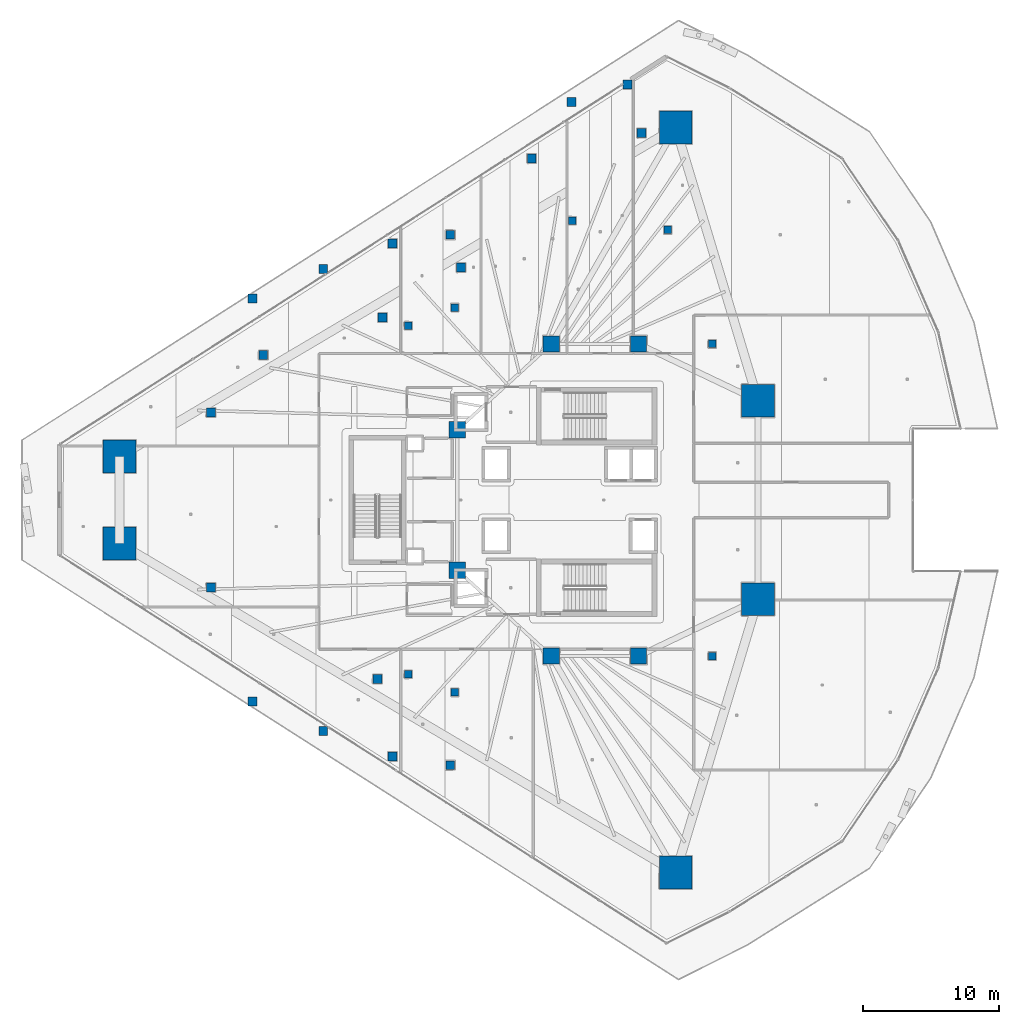
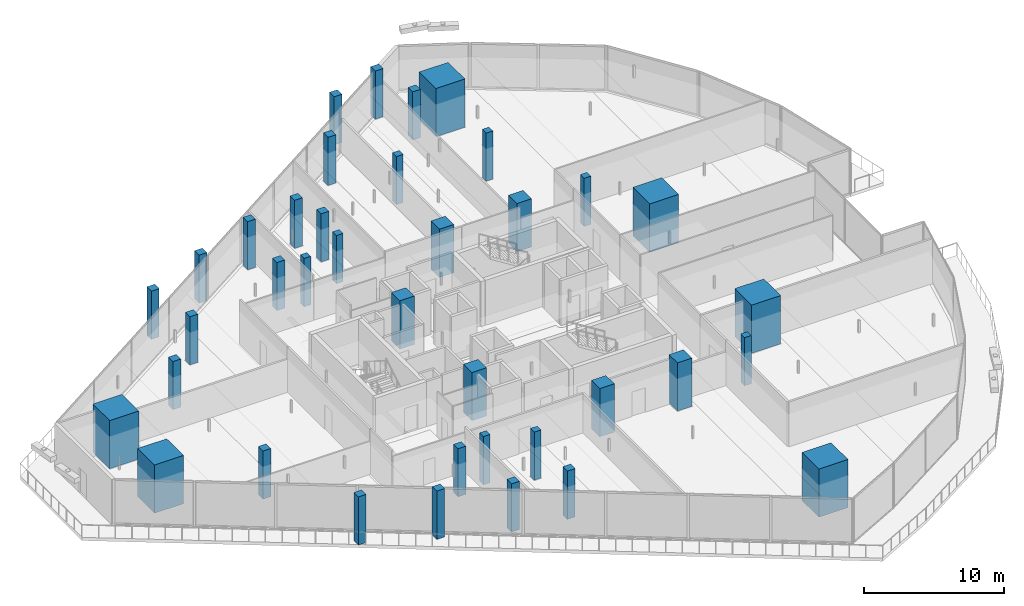
# One storey, part 1 of 45: 38 columns.
"""IFC4 building model written with IfcOpenShell, lengths in metres."""

from ifc_helpers import new_model, si_unit, direction, frame, origin, origin_2d, place, context, subcontext, project, spatial, rectangle, extrude, material, material_profile, profile_set, type_object, element, save


model = new_model("IFC4")

# Units and contexts
model_context = context("Model", 3, precision=1e-05, world=origin(), true_north=direction((0.0, 1.0)))
body_context = subcontext(model_context, "Body", "Model", "MODEL_VIEW")
ifc_project = project(units=[si_unit("LENGTHUNIT", "METRE"), si_unit("AREAUNIT", "SQUARE_METRE"), si_unit("VOLUMEUNIT", "CUBIC_METRE"), si_unit("PLANEANGLEUNIT", "RADIAN"), si_unit("MASSUNIT", "GRAM", prefix="KILO")], contexts=[model_context])

# Site, building, storey
site_placement = place(None, origin())
site = spatial("IfcSite", under=ifc_project, at=site_placement, CompositionType="ELEMENT")
building_placement = place(site_placement, origin())
building = spatial("IfcBuilding", under=site, at=building_placement, Name="Qorvath Tower", CompositionType="ELEMENT")
storey_placement = place(building_placement, frame((0.0, 0.0, 66.0)))
storey = spatial("IfcBuildingStorey", under=building, at=storey_placement, Name="L14", CompositionType="ELEMENT", Elevation=66.0)

# Columns
ifc_material_1 = material(Name="Concrete C70/85", Category="concrete")
ifc_material_profile_1 = material_profile(ifc_material_1, rectangle(XDim=2.39990234375, YDim=2.39990234375, at=origin_2d()), Name="MC 2400x2400")
ifc_profile_set_1 = profile_set([ifc_material_profile_1], Name="Concrete C70/85")
column_type_1 = type_object("IfcColumnType", Name="COL-MC1", PredefinedType="COLUMN", material=ifc_profile_set_1)
for number, where, z_axis, x_axis, name in (
    (1, (-55.282958984375, 3.194580078125, 0.0), (0.0, 0.0, 1.0), (1.0, 0.0, 0.0), "Composite Mega-Column MC1 L14"),
    (2, (-55.282958984375, -3.194580078125, 0.0), (0.0, 0.0, 1.0), (1.0, 0.0, 0.0), "Composite Mega-Column MC2 L14"),
    (3, (-14.46435546875, -27.330810546875, 0.0), (0.0, 0.0, 1.0), (1.0, 0.0, 0.0), "Composite Mega-Column MC3 L14"),
    (4, (-8.430419921875, -7.2763671875, 0.0), (0.0, 0.0, 1.0), (1.0, 0.0, 0.0), "Composite Mega-Column MC4 L14"),
    (5, (-8.430419921875, 7.2763671875, 0.0), (0.0, 0.0, 1.0), (1.0, 0.0, 0.0), "Composite Mega-Column MC5 L14"),
    (6, (-14.46435546875, 27.330810546875, 0.0), (0.0, 0.0, 1.0), (1.0, 0.0, 0.0), "Composite Mega-Column MC6 L14"),
):
    element("IfcColumn", number, at=place(storey_placement, frame(where, z_axis=z_axis, x_axis=x_axis)), inside=storey, type_object=column_type_1, Name=name, PredefinedType="COLUMN", context=body_context, shape_type="SweptSolid", body=[
        extrude(rectangle(XDim=2.39990234375, YDim=2.39990234375, at=origin_2d()), origin(), (0.0, 0.0, 1.0), 4.199951171875),
    ])
ifc_material_2 = material(Name="Concrete C60/75", Category="concrete")
ifc_material_profile_2 = material_profile(ifc_material_2, rectangle(XDim=1.199951171875, YDim=1.199951171875, at=origin_2d()), Name="RC 1200x1200")
ifc_profile_set_2 = profile_set([ifc_material_profile_2], Name="Concrete C60/75")
column_type_2 = type_object("IfcColumnType", Name="COL-RC1", PredefinedType="COLUMN", material=ifc_profile_set_2)
for number, where, z_axis, x_axis, name in (
    (7, (-23.60009765625, 11.449951171875, 0.0), (0.0, 0.0, 1.0), (1.0, 0.0, 0.0), "Core Spine Column CC1 L14"),
    (8, (-17.199951171875, 11.449951171875, 0.0), (0.0, 0.0, 1.0), (1.0, 0.0, 0.0), "Core Spine Column CC2 L14"),
    (9, (-17.199951171875, -11.449951171875, 0.0), (0.0, 0.0, 1.0), (1.0, 0.0, 0.0), "Core Spine Column CC3 L14"),
    (10, (-23.60009765625, -11.449951171875, 0.0), (0.0, 0.0, 1.0), (1.0, 0.0, 0.0), "Core Spine Column CC4 L14"),
    (11, (-30.5, 5.14990234375, 0.0), (0.0, 0.0, 1.0), (1.0, 0.0, 0.0), "Core Spine Column CC5 L14"),
    (12, (-30.5, -5.14990234375, 0.0), (0.0, 0.0, 1.0), (1.0, 0.0, 0.0), "Core Spine Column CC6 L14"),
):
    element("IfcColumn", number, at=place(storey_placement, frame(where, z_axis=z_axis, x_axis=x_axis)), inside=storey, type_object=column_type_2, Name=name, PredefinedType="COLUMN", context=body_context, shape_type="SweptSolid", body=[
        extrude(rectangle(XDim=1.199951171875, YDim=1.199951171875, at=origin_2d()), origin(), (0.0, 0.0, 1.0), 4.199951171875),
    ])
ifc_material_3 = material(Name="Concrete C45/55", Category="concrete")
ifc_material_profile_3 = material_profile(ifc_material_3, rectangle(XDim=0.64990234375, YDim=0.64990234375, at=origin_2d()), Name="RC 650x650")
ifc_profile_set_3 = profile_set([ifc_material_profile_3], Name="Concrete C45/55")
column_type_3 = type_object("IfcColumnType", Name="COL-RC6", PredefinedType="COLUMN", material=ifc_profile_set_3)
for number, where, z_axis, x_axis, name in (
    (13, (-45.536376953125, 14.774658203125, 0.0), (0.0, 0.0, 1.0), (1.0, 0.0, 0.0), "Loggia Frame Pier Column LGA1 L14"),
    (14, (-45.536376953125, -14.774658203125, 0.0), (0.0, 0.0, 1.0), (1.0, 0.0, 0.0), "Loggia Frame Pier Column LGA2 L14"),
    (15, (-22.13134765625, 29.20556640625, 0.0), (0.0, 0.0, 1.0), (1.0, 0.0, 0.0), "Loggia Frame Pier Column LGA3 L14"),
    (16, (-40.33251953125, 16.955810546875, 0.0), (0.0, 0.0, 1.0), (1.0, 0.0, 0.0), "Loggia Frame Pier Column LGB1 L14"),
    (17, (-40.33251953125, -16.955810546875, 0.0), (0.0, 0.0, 1.0), (1.0, 0.0, 0.0), "Loggia Frame Pier Column LGB2 L14"),
    (18, (-18.0, 30.5, 0.0), (0.0, 0.0, 1.0), (1.0, 0.0, 0.0), "Loggia Frame Pier Column LGB3 L14"),
    (19, (-35.251708984375, 18.829345703125, 0.0), (0.0, 0.0, 1.0), (1.0, 0.0, 0.0), "Loggia Frame Pier Column LGC1 L14"),
    (20, (-35.251708984375, -18.829345703125, 0.0), (0.0, 0.0, 1.0), (1.0, 0.0, 0.0), "Loggia Frame Pier Column LGC2 L14"),
    (21, (-25.03759765625, 25.058837890625, 0.0), (0.0, 0.0, 1.0), (1.0, 0.0, 0.0), "Loggia Frame Pier Column LGC3 L14"),
    (22, (-31.01611328125, 19.46044921875, 0.0), (0.0, 0.0, 1.0), (1.0, 0.0, 0.0), "Loggia Frame Pier Column LGD1 L14"),
    (23, (-31.01611328125, -19.46044921875, 0.0), (0.0, 0.0, 1.0), (1.0, 0.0, 0.0), "Loggia Frame Pier Column LGD2 L14"),
    (24, (-44.736328125, 10.65234375, 0.0), (0.0, 0.0, 1.0), (1.0, 0.0, 0.0), "Loggia Frame Pier Column LGD3 L14"),
    (25, (-48.578369140625, 6.424560546875, 0.0), (0.0, 0.0, 1.0), (1.0, 0.0, 0.0), "Loggia Frame Pier Column LGE1 L14"),
    (26, (-48.578369140625, -6.424560546875, 0.0), (0.0, 0.0, 1.0), (1.0, 0.0, 0.0), "Loggia Frame Pier Column LGE2 L14"),
    (27, (-16.981201171875, 26.92919921875, 0.0), (0.0, 0.0, 1.0), (1.0, 0.0, 0.0), "Loggia Frame Pier Column LGE3 L14"),
    (28, (-35.980712890625, 13.380859375, 0.0), (0.0, 0.0, 1.0), (1.0, 0.0, 0.0), "Loggia Frame Pier Column LGF1 L14"),
    (29, (-36.36474609375, -13.135498046875, 0.0), (0.0, 0.0, 1.0), (1.0, 0.0, 0.0), "Loggia Frame Pier Column LGF2 L14"),
    (30, (-30.224853515625, 17.0595703125, 0.0), (0.0, 0.0, 1.0), (1.0, 0.0, 0.0), "Loggia Frame Pier Column LGF3 L14"),
):
    element("IfcColumn", number, at=place(storey_placement, frame(where, z_axis=z_axis, x_axis=x_axis)), inside=storey, type_object=column_type_3, Name=name, PredefinedType="COLUMN", context=body_context, shape_type="SweptSolid", body=[
        extrude(rectangle(XDim=0.64990234375, YDim=0.64990234375, at=origin_2d()), origin(), (0.0, 0.0, 1.0), 4.199951171875),
    ])
ifc_material_4 = material(Name="Concrete C45/55", Category="concrete")
ifc_material_profile_4 = material_profile(ifc_material_4, rectangle(XDim=0.550048828125, YDim=0.550048828125, at=origin_2d()), Name="RC 550x550")
ifc_profile_set_4 = profile_set([ifc_material_profile_4], Name="Concrete C45/55")
column_type_4 = type_object("IfcColumnType", Name="COL-RC7", PredefinedType="COLUMN", material=ifc_profile_set_4)
for number, where, z_axis, x_axis, name in (
    (31, (-34.104248046875, 12.79248046875, 0.0), (0.0, 0.0, 1.0), (1.0, 0.0, 0.0), "Loggia Frame Pier Column LGG1 L14"),
    (32, (-34.104248046875, -12.79248046875, 0.0), (0.0, 0.0, 1.0), (1.0, 0.0, 0.0), "Loggia Frame Pier Column LGG2 L14"),
    (33, (-22.05322265625, 20.494873046875, 0.0), (0.0, 0.0, 1.0), (1.0, 0.0, 0.0), "Loggia Frame Pier Column LGG3 L14"),
    (34, (-30.67724609375, 14.124267578125, 0.0), (0.0, 0.0, 1.0), (1.0, 0.0, 0.0), "Loggia Frame Pier Column LGH1 L14"),
    (35, (-30.67724609375, -14.124267578125, 0.0), (0.0, 0.0, 1.0), (1.0, 0.0, 0.0), "Loggia Frame Pier Column LGH2 L14"),
    (36, (-15.046142578125, 19.818115234375, 0.0), (0.0, 0.0, 1.0), (1.0, 0.0, 0.0), "Loggia Frame Pier Column LGH3 L14"),
    (37, (-11.800048828125, -11.449951171875, 0.0), (0.0, 0.0, 1.0), (1.0, 0.0, 0.0), "Central Slot Jamb Column SC1 L14"),
    (38, (-11.800048828125, 11.449951171875, 0.0), (0.0, 0.0, 1.0), (1.0, 0.0, 0.0), "Central Slot Jamb Column SC2 L14"),
):
    element("IfcColumn", number, at=place(storey_placement, frame(where, z_axis=z_axis, x_axis=x_axis)), inside=storey, type_object=column_type_4, Name=name, PredefinedType="COLUMN", context=body_context, shape_type="SweptSolid", body=[
        extrude(rectangle(XDim=0.550048828125, YDim=0.550048828125, at=origin_2d()), origin(), (0.0, 0.0, 1.0), 4.199951171875),
    ])

save(model, "model.ifc")
